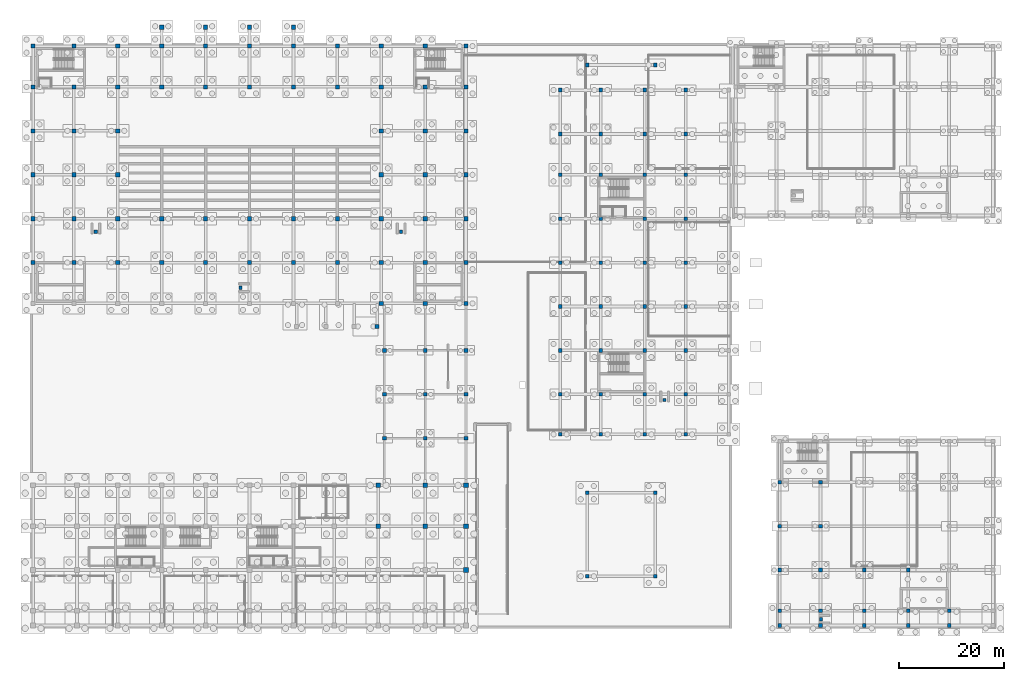
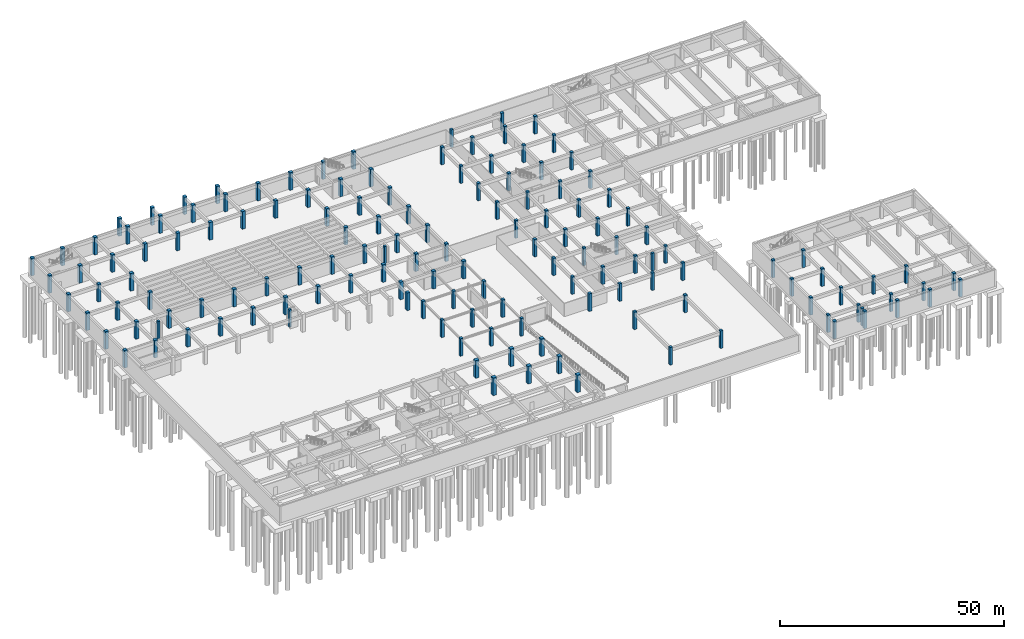
# One storey, part 8 of 35: 145 columns.
"""IFC4 building model written with IfcOpenShell, lengths in metres."""

from ifc_helpers import new_model, si_unit, direction, frame, origin, origin_2d, place, context, subcontext, project, spatial, rectangle, extrude, material, material_profile, profile_set, type_object, element, save


model = new_model("IFC4")

# Units and contexts
model_context = context("Model", 3, precision=1e-05, world=origin(), true_north=direction((0.0, 1.0)))
body_context = subcontext(model_context, "Body", "Model", "MODEL_VIEW")
ifc_project = project(units=[si_unit("LENGTHUNIT", "METRE"), si_unit("AREAUNIT", "SQUARE_METRE"), si_unit("VOLUMEUNIT", "CUBIC_METRE"), si_unit("PLANEANGLEUNIT", "RADIAN"), si_unit("MASSUNIT", "GRAM", prefix="KILO")], contexts=[model_context])

# Site, building, storey
site_placement = place(None, origin())
site = spatial("IfcSite", under=ifc_project, at=site_placement, CompositionType="ELEMENT")
building_placement = place(site_placement, origin())
building = spatial("IfcBuilding", under=site, at=building_placement, Name="Zayran Congress Hotel", CompositionType="ELEMENT")
storey_placement = place(building_placement, frame((0.0, 0.0, -4.800048828125)))
storey = spatial("IfcBuildingStorey", under=building, at=storey_placement, Name="B1", CompositionType="ELEMENT", Elevation=-4.800048828125)

# Columns
ifc_material = material(Name="Concrete C40/50", Category="concrete")
ifc_material_profile_1 = material_profile(ifc_material, rectangle(XDim=0.89990234375, YDim=0.89990234375, at=origin_2d()), Name="RC 900x900")
ifc_profile_set_1 = profile_set([ifc_material_profile_1], Name="Concrete C40/50")
column_type_1 = type_object("IfcColumnType", Name="TP-CL-01", PredefinedType="COLUMN", material=ifc_profile_set_1)
for number, where, z_axis, x_axis, name in (
    (1, (75.0, 25.60009765625, 0.0), (0.0, 0.0, 1.0), (1.0, 0.0, 0.0), "COL-B1-0094"),
    (2, (75.0, 33.39990234375, 0.0), (0.0, 0.0, 1.0), (1.0, 0.0, 0.0), "COL-B1-0095"),
    (3, (84.0, 25.60009765625, 0.0), (0.0, 0.0, 1.0), (1.0, 0.0, 0.0), "COL-B1-0109"),
    (4, (84.0, 33.39990234375, 0.0), (0.0, 0.0, 1.0), (1.0, 0.0, 0.0), "COL-B1-0110"),
    (5, (91.800048828125, 17.199951171875, 0.0), (0.0, 0.0, 1.0), (1.0, 0.0, 0.0), "COL-B1-0123"),
    (6, (91.800048828125, 25.60009765625, 0.0), (0.0, 0.0, 1.0), (1.0, 0.0, 0.0), "COL-B1-0124"),
    (7, (91.800048828125, 33.39990234375, 0.0), (0.0, 0.0, 1.0), (1.0, 0.0, 0.0), "COL-B1-0125"),
):
    element("IfcColumn", number, at=place(storey_placement, frame(where, z_axis=z_axis, x_axis=x_axis)), inside=storey, type_object=column_type_1, Name=name, PredefinedType="COLUMN", context=body_context, shape_type="SweptSolid", body=[
        extrude(rectangle(XDim=0.89990234375, YDim=0.89990234375, at=origin_2d()), origin(), (0.0, 0.0, 1.0), 4.800048828125),
    ])
ifc_material_profile_2 = material_profile(ifc_material, rectangle(XDim=0.800048828125, YDim=0.800048828125, at=origin_2d()), Name="RC 800x800")
ifc_profile_set_2 = profile_set([ifc_material_profile_2], Name="Concrete C40/50")
column_type_2 = type_object("IfcColumnType", Name="TP-CL-02", PredefinedType="COLUMN", material=ifc_profile_set_2)
for number, where, z_axis, x_axis, name in (
    (8, (9.0, 76.0, 0.0), (0.0, 0.0, 1.0), (1.0, 0.0, 0.0), "COL-B1-0007"),
    (9, (9.0, 84.39990234375, 0.0), (0.0, 0.0, 1.0), (1.0, 0.0, 0.0), "COL-B1-0008"),
    (10, (9.0, 92.800048828125, 0.0), (0.0, 0.0, 1.0), (1.0, 0.0, 0.0), "COL-B1-0009"),
    (11, (9.0, 101.199951171875, 0.0), (0.0, 0.0, 1.0), (1.0, 0.0, 0.0), "COL-B1-0010"),
    (12, (9.0, 109.60009765625, 0.0), (0.0, 0.0, 1.0), (1.0, 0.0, 0.0), "COL-B1-0011"),
    (13, (9.0, 117.39990234375, 0.0), (0.0, 0.0, 1.0), (1.0, 0.0, 0.0), "COL-B1-0012"),
    (14, (16.800048828125, 76.0, 0.0), (0.0, 0.0, 1.0), (1.0, 0.0, 0.0), "COL-B1-0014"),
    (15, (16.800048828125, 84.39990234375, 0.0), (0.0, 0.0, 1.0), (1.0, 0.0, 0.0), "COL-B1-0015"),
    (16, (16.800048828125, 92.800048828125, 0.0), (0.0, 0.0, 1.0), (1.0, 0.0, 0.0), "COL-B1-0016"),
    (17, (16.800048828125, 101.199951171875, 0.0), (0.0, 0.0, 1.0), (1.0, 0.0, 0.0), "COL-B1-0017"),
    (18, (16.800048828125, 109.60009765625, 0.0), (0.0, 0.0, 1.0), (1.0, 0.0, 0.0), "COL-B1-0018"),
    (19, (16.800048828125, 117.39990234375, 0.0), (0.0, 0.0, 1.0), (1.0, 0.0, 0.0), "COL-B1-0019"),
    (20, (25.199951171875, 76.0, 0.0), (0.0, 0.0, 1.0), (1.0, 0.0, 0.0), "COL-B1-0031"),
    (21, (25.199951171875, 84.39990234375, 0.0), (0.0, 0.0, 1.0), (1.0, 0.0, 0.0), "COL-B1-0032"),
    (22, (25.199951171875, 92.800048828125, 0.0), (0.0, 0.0, 1.0), (1.0, 0.0, 0.0), "COL-B1-0033"),
    (23, (25.199951171875, 101.199951171875, 0.0), (0.0, 0.0, 1.0), (1.0, 0.0, 0.0), "COL-B1-0034"),
    (24, (25.199951171875, 109.60009765625, 0.0), (0.0, 0.0, 1.0), (1.0, 0.0, 0.0), "COL-B1-0035"),
    (25, (25.199951171875, 117.39990234375, 0.0), (0.0, 0.0, 1.0), (1.0, 0.0, 0.0), "COL-B1-0036"),
    (26, (33.60009765625, 76.0, 0.0), (0.0, 0.0, 1.0), (1.0, 0.0, 0.0), "COL-B1-0043"),
    (27, (33.60009765625, 84.39990234375, 0.0), (0.0, 0.0, 1.0), (1.0, 0.0, 0.0), "COL-B1-0044"),
    (28, (33.60009765625, 109.60009765625, 0.0), (0.0, 0.0, 1.0), (1.0, 0.0, 0.0), "COL-B1-0045"),
    (29, (33.60009765625, 117.39990234375, 0.0), (0.0, 0.0, 1.0), (1.0, 0.0, 0.0), "COL-B1-0046"),
    (30, (42.0, 76.0, 0.0), (0.0, 0.0, 1.0), (1.0, 0.0, 0.0), "COL-B1-0053"),
    (31, (42.0, 84.39990234375, 0.0), (0.0, 0.0, 1.0), (1.0, 0.0, 0.0), "COL-B1-0054"),
    (32, (42.0, 109.60009765625, 0.0), (0.0, 0.0, 1.0), (1.0, 0.0, 0.0), "COL-B1-0055"),
    (33, (42.0, 117.39990234375, 0.0), (0.0, 0.0, 1.0), (1.0, 0.0, 0.0), "COL-B1-0056"),
    (34, (50.39990234375, 76.0, 0.0), (0.0, 0.0, 1.0), (1.0, 0.0, 0.0), "COL-B1-0063"),
    (35, (50.39990234375, 84.39990234375, 0.0), (0.0, 0.0, 1.0), (1.0, 0.0, 0.0), "COL-B1-0064"),
    (36, (50.39990234375, 109.60009765625, 0.0), (0.0, 0.0, 1.0), (1.0, 0.0, 0.0), "COL-B1-0065"),
    (37, (50.39990234375, 117.39990234375, 0.0), (0.0, 0.0, 1.0), (1.0, 0.0, 0.0), "COL-B1-0066"),
    (38, (58.800048828125, 76.0, 0.0), (0.0, 0.0, 1.0), (1.0, 0.0, 0.0), "COL-B1-0073"),
    (39, (58.800048828125, 84.39990234375, 0.0), (0.0, 0.0, 1.0), (1.0, 0.0, 0.0), "COL-B1-0074"),
    (40, (58.800048828125, 109.60009765625, 0.0), (0.0, 0.0, 1.0), (1.0, 0.0, 0.0), "COL-B1-0075"),
    (41, (58.800048828125, 117.39990234375, 0.0), (0.0, 0.0, 1.0), (1.0, 0.0, 0.0), "COL-B1-0076"),
    (42, (67.199951171875, 76.0, 0.0), (0.0, 0.0, 1.0), (1.0, 0.0, 0.0), "COL-B1-0085"),
    (43, (67.199951171875, 84.39990234375, 0.0), (0.0, 0.0, 1.0), (1.0, 0.0, 0.0), "COL-B1-0086"),
    (44, (67.199951171875, 109.60009765625, 0.0), (0.0, 0.0, 1.0), (1.0, 0.0, 0.0), "COL-B1-0087"),
    (45, (67.199951171875, 117.39990234375, 0.0), (0.0, 0.0, 1.0), (1.0, 0.0, 0.0), "COL-B1-0088"),
    (46, (74.800048828125, 63.800048828125, 0.0), (0.0, 0.0, 1.0), (1.0, 0.0, 0.0), "COL-B1-0090"),
    (47, (75.60009765625, 68.199951171875, 0.0), (0.0, 0.0, 1.0), (1.0, 0.0, 0.0), "COL-B1-0096"),
    (48, (75.60009765625, 76.0, 0.0), (0.0, 0.0, 1.0), (1.0, 0.0, 0.0), "COL-B1-0097"),
    (49, (75.60009765625, 84.39990234375, 0.0), (0.0, 0.0, 1.0), (1.0, 0.0, 0.0), "COL-B1-0098"),
    (50, (75.60009765625, 92.800048828125, 0.0), (0.0, 0.0, 1.0), (1.0, 0.0, 0.0), "COL-B1-0099"),
    (51, (75.60009765625, 101.199951171875, 0.0), (0.0, 0.0, 1.0), (1.0, 0.0, 0.0), "COL-B1-0100"),
    (52, (75.60009765625, 109.60009765625, 0.0), (0.0, 0.0, 1.0), (1.0, 0.0, 0.0), "COL-B1-0101"),
    (53, (75.60009765625, 117.39990234375, 0.0), (0.0, 0.0, 1.0), (1.0, 0.0, 0.0), "COL-B1-0102"),
    (54, (84.0, 68.199951171875, 0.0), (0.0, 0.0, 1.0), (1.0, 0.0, 0.0), "COL-B1-0114"),
    (55, (84.0, 76.0, 0.0), (0.0, 0.0, 1.0), (1.0, 0.0, 0.0), "COL-B1-0115"),
    (56, (84.0, 84.39990234375, 0.0), (0.0, 0.0, 1.0), (1.0, 0.0, 0.0), "COL-B1-0116"),
    (57, (84.0, 92.800048828125, 0.0), (0.0, 0.0, 1.0), (1.0, 0.0, 0.0), "COL-B1-0117"),
    (58, (84.0, 101.199951171875, 0.0), (0.0, 0.0, 1.0), (1.0, 0.0, 0.0), "COL-B1-0118"),
    (59, (84.0, 109.60009765625, 0.0), (0.0, 0.0, 1.0), (1.0, 0.0, 0.0), "COL-B1-0119"),
    (60, (84.0, 117.39990234375, 0.0), (0.0, 0.0, 1.0), (1.0, 0.0, 0.0), "COL-B1-0120"),
    (61, (91.800048828125, 68.199951171875, 0.0), (0.0, 0.0, 1.0), (1.0, 0.0, 0.0), "COL-B1-0129"),
    (62, (91.800048828125, 76.0, 0.0), (0.0, 0.0, 1.0), (1.0, 0.0, 0.0), "COL-B1-0130"),
    (63, (91.800048828125, 84.39990234375, 0.0), (0.0, 0.0, 1.0), (1.0, 0.0, 0.0), "COL-B1-0131"),
    (64, (91.800048828125, 92.800048828125, 0.0), (0.0, 0.0, 1.0), (1.0, 0.0, 0.0), "COL-B1-0132"),
    (65, (91.800048828125, 101.199951171875, 0.0), (0.0, 0.0, 1.0), (1.0, 0.0, 0.0), "COL-B1-0133"),
    (66, (91.800048828125, 109.60009765625, 0.0), (0.0, 0.0, 1.0), (1.0, 0.0, 0.0), "COL-B1-0134"),
    (67, (91.800048828125, 117.39990234375, 0.0), (0.0, 0.0, 1.0), (1.0, 0.0, 0.0), "COL-B1-0135"),
    (68, (33.60009765625, 121.0, 0.0), (0.0, 0.0, 1.0), (1.0, 0.0, 0.0), "COL-B1-NCAN-1"),
    (69, (42.0, 121.0, 0.0), (0.0, 0.0, 1.0), (1.0, 0.0, 0.0), "COL-B1-NCAN-2"),
    (70, (50.39990234375, 121.0, 0.0), (0.0, 0.0, 1.0), (1.0, 0.0, 0.0), "COL-B1-NCAN-3"),
    (71, (58.800048828125, 121.0, 0.0), (0.0, 0.0, 1.0), (1.0, 0.0, 0.0), "COL-B1-NCAN-4"),
):
    element("IfcColumn", number, at=place(storey_placement, frame(where, z_axis=z_axis, x_axis=x_axis)), inside=storey, type_object=column_type_2, Name=name, PredefinedType="COLUMN", context=body_context, shape_type="SweptSolid", body=[
        extrude(rectangle(XDim=0.800048828125, YDim=0.800048828125, at=origin_2d()), origin(), (0.0, 0.0, 1.0), 4.800048828125),
    ])
ifc_material_profile_3 = material_profile(ifc_material, rectangle(XDim=0.699951171875, YDim=0.699951171875, at=origin_2d()), Name="RC 700x700")
ifc_profile_set_3 = profile_set([ifc_material_profile_3], Name="Concrete C40/50")
column_type_3 = type_object("IfcColumnType", Name="TP-CL-03", PredefinedType="COLUMN", material=ifc_profile_set_3)
for number, where, z_axis, x_axis, name in (
    (72, (76.199951171875, 42.39990234375, 0.0), (0.0, 0.0, 1.0), (1.0, 0.0, 0.0), "COL-B1-0103"),
    (73, (76.199951171875, 50.800048828125, 0.0), (0.0, 0.0, 1.0), (1.0, 0.0, 0.0), "COL-B1-0104"),
    (74, (76.199951171875, 59.199951171875, 0.0), (0.0, 0.0, 1.0), (1.0, 0.0, 0.0), "COL-B1-0105"),
    (75, (84.0, 42.39990234375, 0.0), (0.0, 0.0, 1.0), (1.0, 0.0, 0.0), "COL-B1-0111"),
    (76, (84.0, 50.800048828125, 0.0), (0.0, 0.0, 1.0), (1.0, 0.0, 0.0), "COL-B1-0112"),
    (77, (84.0, 59.199951171875, 0.0), (0.0, 0.0, 1.0), (1.0, 0.0, 0.0), "COL-B1-0113"),
    (78, (91.800048828125, 42.39990234375, 0.0), (0.0, 0.0, 1.0), (1.0, 0.0, 0.0), "COL-B1-0126"),
    (79, (91.800048828125, 50.800048828125, 0.0), (0.0, 0.0, 1.0), (1.0, 0.0, 0.0), "COL-B1-0127"),
    (80, (91.800048828125, 59.199951171875, 0.0), (0.0, 0.0, 1.0), (1.0, 0.0, 0.0), "COL-B1-0128"),
    (81, (109.800048828125, 43.14990234375, 0.0), (0.0, 0.0, 1.0), (1.0, 0.0, 0.0), "COL-B1-0136"),
    (82, (109.800048828125, 50.800048828125, 0.0), (0.0, 0.0, 1.0), (1.0, 0.0, 0.0), "COL-B1-0137"),
    (83, (109.800048828125, 59.199951171875, 0.0), (0.0, 0.0, 1.0), (1.0, 0.0, 0.0), "COL-B1-0138"),
    (84, (109.800048828125, 67.60009765625, 0.0), (0.0, 0.0, 1.0), (1.0, 0.0, 0.0), "COL-B1-0139"),
    (85, (109.800048828125, 76.0, 0.0), (0.0, 0.0, 1.0), (1.0, 0.0, 0.0), "COL-B1-0140"),
    (86, (109.800048828125, 84.39990234375, 0.0), (0.0, 0.0, 1.0), (1.0, 0.0, 0.0), "COL-B1-0141"),
    (87, (109.800048828125, 92.800048828125, 0.0), (0.0, 0.0, 1.0), (1.0, 0.0, 0.0), "COL-B1-0142"),
    (88, (109.800048828125, 100.60009765625, 0.0), (0.0, 0.0, 1.0), (1.0, 0.0, 0.0), "COL-B1-0143"),
    (89, (109.800048828125, 109.0, 0.0), (0.0, 0.0, 1.0), (1.0, 0.0, 0.0), "COL-B1-0144"),
    (90, (115.0, 16.0, 0.0), (0.0, 0.0, 1.0), (1.0, 0.0, 0.0), "COL-B1-0145"),
    (91, (115.0, 32.0, 0.0), (0.0, 0.0, 1.0), (1.0, 0.0, 0.0), "COL-B1-0146"),
    (92, (115.0, 113.800048828125, 0.0), (0.0, 0.0, 1.0), (1.0, 0.0, 0.0), "COL-B1-0147"),
    (93, (117.60009765625, 43.14990234375, 0.0), (0.0, 0.0, 1.0), (1.0, 0.0, 0.0), "COL-B1-0148"),
    (94, (117.60009765625, 50.800048828125, 0.0), (0.0, 0.0, 1.0), (1.0, 0.0, 0.0), "COL-B1-0149"),
    (95, (117.60009765625, 59.199951171875, 0.0), (0.0, 0.0, 1.0), (1.0, 0.0, 0.0), "COL-B1-0150"),
    (96, (117.60009765625, 67.60009765625, 0.0), (0.0, 0.0, 1.0), (1.0, 0.0, 0.0), "COL-B1-0151"),
    (97, (117.60009765625, 76.0, 0.0), (0.0, 0.0, 1.0), (1.0, 0.0, 0.0), "COL-B1-0152"),
    (98, (117.60009765625, 84.39990234375, 0.0), (0.0, 0.0, 1.0), (1.0, 0.0, 0.0), "COL-B1-0153"),
    (99, (117.60009765625, 92.800048828125, 0.0), (0.0, 0.0, 1.0), (1.0, 0.0, 0.0), "COL-B1-0154"),
    (100, (117.60009765625, 100.60009765625, 0.0), (0.0, 0.0, 1.0), (1.0, 0.0, 0.0), "COL-B1-0155"),
    (101, (117.60009765625, 109.0, 0.0), (0.0, 0.0, 1.0), (1.0, 0.0, 0.0), "COL-B1-0156"),
    (102, (126.0, 43.14990234375, 0.0), (0.0, 0.0, 1.0), (1.0, 0.0, 0.0), "COL-B1-0157"),
    (103, (126.0, 50.800048828125, 0.0), (0.0, 0.0, 1.0), (1.0, 0.0, 0.0), "COL-B1-0158"),
    (104, (126.0, 59.199951171875, 0.0), (0.0, 0.0, 1.0), (1.0, 0.0, 0.0), "COL-B1-0159"),
    (105, (126.0, 67.60009765625, 0.0), (0.0, 0.0, 1.0), (1.0, 0.0, 0.0), "COL-B1-0160"),
    (106, (126.0, 76.0, 0.0), (0.0, 0.0, 1.0), (1.0, 0.0, 0.0), "COL-B1-0161"),
    (107, (126.0, 84.39990234375, 0.0), (0.0, 0.0, 1.0), (1.0, 0.0, 0.0), "COL-B1-0162"),
    (108, (126.0, 92.800048828125, 0.0), (0.0, 0.0, 1.0), (1.0, 0.0, 0.0), "COL-B1-0163"),
    (109, (126.0, 100.60009765625, 0.0), (0.0, 0.0, 1.0), (1.0, 0.0, 0.0), "COL-B1-0164"),
    (110, (126.0, 109.0, 0.0), (0.0, 0.0, 1.0), (1.0, 0.0, 0.0), "COL-B1-0165"),
    (111, (128.0, 16.0, 0.0), (0.0, 0.0, 1.0), (1.0, 0.0, 0.0), "COL-B1-0166"),
    (112, (128.0, 32.0, 0.0), (0.0, 0.0, 1.0), (1.0, 0.0, 0.0), "COL-B1-0167"),
    (113, (128.0, 113.800048828125, 0.0), (0.0, 0.0, 1.0), (1.0, 0.0, 0.0), "COL-B1-0168"),
    (114, (133.800048828125, 43.14990234375, 0.0), (0.0, 0.0, 1.0), (1.0, 0.0, 0.0), "COL-B1-0169"),
    (115, (133.800048828125, 50.800048828125, 0.0), (0.0, 0.0, 1.0), (1.0, 0.0, 0.0), "COL-B1-0170"),
    (116, (133.800048828125, 59.199951171875, 0.0), (0.0, 0.0, 1.0), (1.0, 0.0, 0.0), "COL-B1-0171"),
    (117, (133.800048828125, 67.60009765625, 0.0), (0.0, 0.0, 1.0), (1.0, 0.0, 0.0), "COL-B1-0172"),
    (118, (133.800048828125, 76.0, 0.0), (0.0, 0.0, 1.0), (1.0, 0.0, 0.0), "COL-B1-0173"),
    (119, (133.800048828125, 84.39990234375, 0.0), (0.0, 0.0, 1.0), (1.0, 0.0, 0.0), "COL-B1-0174"),
    (120, (133.800048828125, 92.800048828125, 0.0), (0.0, 0.0, 1.0), (1.0, 0.0, 0.0), "COL-B1-0175"),
    (121, (133.800048828125, 100.60009765625, 0.0), (0.0, 0.0, 1.0), (1.0, 0.0, 0.0), "COL-B1-0176"),
    (122, (133.800048828125, 109.0, 0.0), (0.0, 0.0, 1.0), (1.0, 0.0, 0.0), "COL-B1-0177"),
    (123, (151.800048828125, 6.60009765625, 0.0), (0.0, 0.0, 1.0), (1.0, 0.0, 0.0), "COL-B1-0197"),
    (124, (151.800048828125, 9.39990234375, 0.0), (0.0, 0.0, 1.0), (1.0, 0.0, 0.0), "COL-B1-0198"),
    (125, (151.800048828125, 17.199951171875, 0.0), (0.0, 0.0, 1.0), (1.0, 0.0, 0.0), "COL-B1-0199"),
    (126, (151.800048828125, 25.60009765625, 0.0), (0.0, 0.0, 1.0), (1.0, 0.0, 0.0), "COL-B1-0200"),
    (127, (151.800048828125, 34.0, 0.0), (0.0, 0.0, 1.0), (1.0, 0.0, 0.0), "COL-B1-0201"),
    (128, (159.60009765625, 6.60009765625, 0.0), (0.0, 0.0, 1.0), (1.0, 0.0, 0.0), "COL-B1-0203"),
    (129, (159.60009765625, 9.39990234375, 0.0), (0.0, 0.0, 1.0), (1.0, 0.0, 0.0), "COL-B1-0204"),
    (130, (159.60009765625, 17.199951171875, 0.0), (0.0, 0.0, 1.0), (1.0, 0.0, 0.0), "COL-B1-0205"),
    (131, (159.60009765625, 25.60009765625, 0.0), (0.0, 0.0, 1.0), (1.0, 0.0, 0.0), "COL-B1-0206"),
    (132, (159.60009765625, 34.0, 0.0), (0.0, 0.0, 1.0), (1.0, 0.0, 0.0), "COL-B1-0207"),
    (133, (168.0, 6.60009765625, 0.0), (0.0, 0.0, 1.0), (1.0, 0.0, 0.0), "COL-B1-0213"),
    (134, (168.0, 9.39990234375, 0.0), (0.0, 0.0, 1.0), (1.0, 0.0, 0.0), "COL-B1-0214"),
    (135, (168.0, 17.199951171875, 0.0), (0.0, 0.0, 1.0), (1.0, 0.0, 0.0), "COL-B1-0215"),
    (136, (176.39990234375, 6.60009765625, 0.0), (0.0, 0.0, 1.0), (1.0, 0.0, 0.0), "COL-B1-0222"),
    (137, (176.39990234375, 9.39990234375, 0.0), (0.0, 0.0, 1.0), (1.0, 0.0, 0.0), "COL-B1-0223"),
    (138, (176.39990234375, 17.199951171875, 0.0), (0.0, 0.0, 1.0), (1.0, 0.0, 0.0), "COL-B1-0224"),
    (139, (184.199951171875, 6.60009765625, 0.0), (0.0, 0.0, 1.0), (1.0, 0.0, 0.0), "COL-B1-0231"),
    (140, (184.199951171875, 9.39990234375, 0.0), (0.0, 0.0, 1.0), (1.0, 0.0, 0.0), "COL-B1-0232"),
):
    element("IfcColumn", number, at=place(storey_placement, frame(where, z_axis=z_axis, x_axis=x_axis)), inside=storey, type_object=column_type_3, Name=name, PredefinedType="COLUMN", context=body_context, shape_type="SweptSolid", body=[
        extrude(rectangle(XDim=0.699951171875, YDim=0.699951171875, at=origin_2d()), origin(), (0.0, 0.0, 1.0), 4.800048828125),
    ])
ifc_material_profile_4 = material_profile(ifc_material, rectangle(XDim=0.60009765625, YDim=0.60009765625, at=origin_2d()), Name="RC 600x600")
ifc_profile_set_4 = profile_set([ifc_material_profile_4], Name="Concrete C40/50")
column_type_4 = type_object("IfcColumnType", Name="TP-CL-04", PredefinedType="COLUMN", material=ifc_profile_set_4)
for number, where, z_axis, x_axis, name in (
    (141, (21.0, 81.89990234375, 0.0), (0.0, 0.0, 1.0), (1.0, 0.0, 0.0), "COL-VOM-B1-01"),
    (142, (79.39990234375, 81.89990234375, 0.0), (0.0, 0.0, 1.0), (1.0, 0.0, 0.0), "COL-VOM-B1-02"),
    (143, (48.699951171875, 71.199951171875, 0.0), (0.0, 0.0, 1.0), (1.0, 0.0, 0.0), "COL-VOM-B1-03"),
    (144, (159.699951171875, 7.800048828125, 0.0), (0.0, 0.0, 1.0), (1.0, 0.0, 0.0), "COL-VOM-B1-05"),
    (145, (129.800048828125, 49.699951171875, 0.0), (0.0, 0.0, 1.0), (1.0, 0.0, 0.0), "COL-VOM-B1-06"),
):
    element("IfcColumn", number, at=place(storey_placement, frame(where, z_axis=z_axis, x_axis=x_axis)), inside=storey, type_object=column_type_4, Name=name, PredefinedType="COLUMN", context=body_context, shape_type="SweptSolid", body=[
        extrude(rectangle(XDim=0.60009765625, YDim=0.60009765625, at=origin_2d()), origin(), (0.0, 0.0, 1.0), 4.800048828125),
    ])

save(model, "model.ifc")
